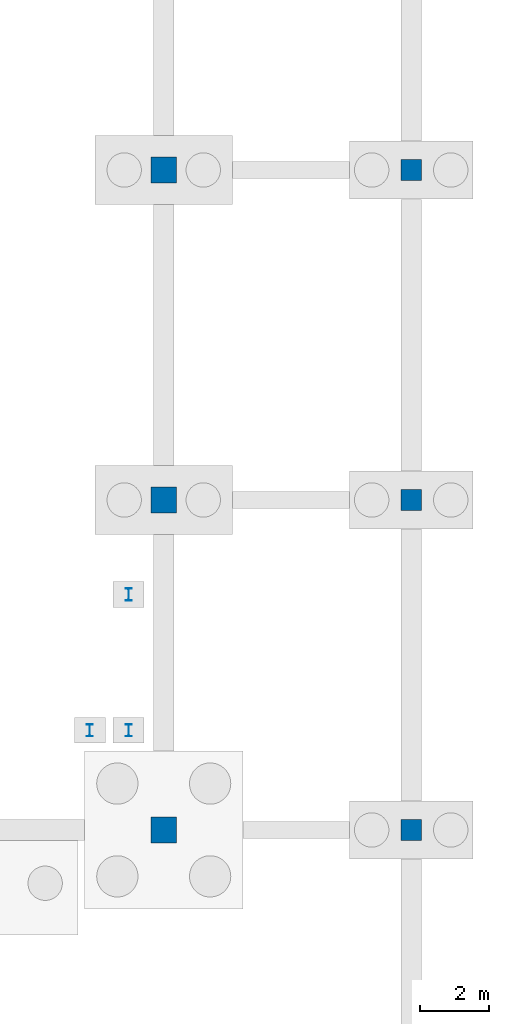
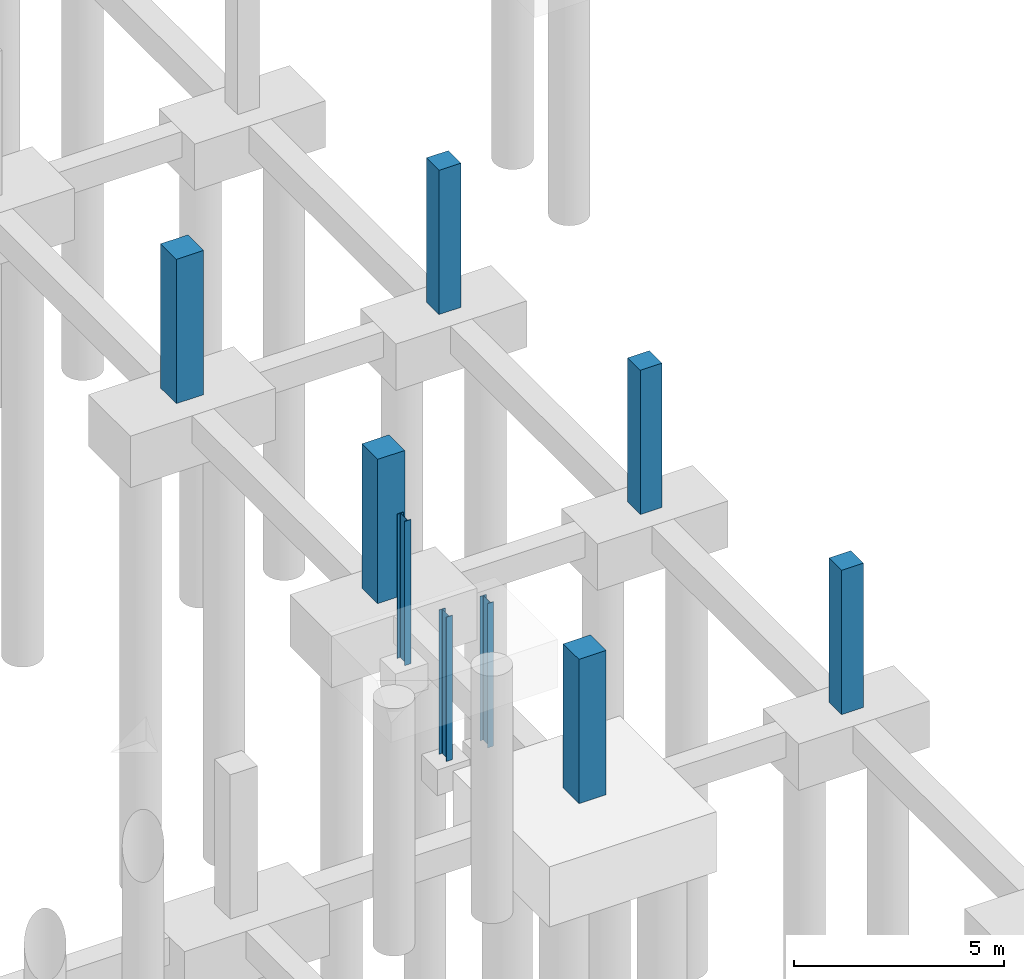
# One storey, part 34 of 54: 9 columns.
"""IFC4 building model written with IfcOpenShell, lengths in metres."""

import ifcopenshell
import ifcopenshell.guid

model = None  # the IFC model being written
_history = None  # IfcOwnerHistory: only IFC2X3 demands one
_inside = {}  # id of a spatial element -> (the spatial element, [elements in it])
_under = {}  # id of a project, library or spatial element -> (it, [spatial elements below it])
_declared = {}  # id of a project -> (the project, [libraries it declares])
_typed = {}  # id of a type object -> (the type object, [elements of that type])
_made_of = {}  # id of a material, layer set ... -> (it, [elements and type objects made of it])


def new_model(schema):
    """Start an empty IFC model of exactly this schema.

    Asked for "IFC4X3", IfcOpenShell would pick the latest addendum, in which some entities
    have other attributes; the version numbers below select the first issue.
    IFC2X3 requires an IfcOwnerHistory on every rooted entity: one is made here for all.
    """
    global model, _history
    if schema == "IFC4X3":
        model = ifcopenshell.file(schema_version=(4, 3, 0, 0))
    else:
        model = ifcopenshell.file(schema=schema)
    _inside.clear()
    _under.clear()
    _declared.clear()
    _typed.clear()
    _made_of.clear()
    _history = None
    if model.schema == "IFC2X3":
        org = make("IfcOrganization", Name="unknown")
        user = make(
            "IfcPersonAndOrganization",
            ThePerson=make("IfcPerson", FamilyName="unknown"),
            TheOrganization=org,
        )
        app = make(
            "IfcApplication",
            ApplicationDeveloper=org,
            Version="unknown",
            ApplicationFullName="unknown",
            ApplicationIdentifier="unknown",
        )
        _history = make(
            "IfcOwnerHistory",
            OwningUser=user,
            OwningApplication=app,
            ChangeAction="ADDED",
            CreationDate=0,
        )
    return model


def make(cls, **values):
    """One entity of the class cls with the attributes given. An attribute that is None is left unset."""
    return model.create_entity(
        cls, **{name: value for name, value in values.items() if value is not None}
    )


def rooted(cls, **values):
    """An entity with a GlobalId (a new one), such as an element, a storey or a relation."""
    return make(cls, GlobalId=ifcopenshell.guid.new(), OwnerHistory=_history, **values)


def si_unit(unit_type, name, prefix=None):
    """IfcSIUnit, for example si_unit("LENGTHUNIT", "METRE", prefix="MILLI")."""
    return make("IfcSIUnit", UnitType=unit_type, Prefix=prefix, Name=name)


def assignment(units):
    """IfcUnitAssignment: the units of a project."""
    return None if units is None else make("IfcUnitAssignment", Units=units)


def point(xyz):
    """IfcCartesianPoint."""
    return None if xyz is None else make("IfcCartesianPoint", Coordinates=xyz)


def direction(xyz):
    """IfcDirection."""
    return None if xyz is None else make("IfcDirection", DirectionRatios=xyz)


def frame(location, z_axis=None, x_axis=None):
    """IfcAxis2Placement3D, a coordinate frame: its origin and axes. An axis left out is left unset."""
    return make(
        "IfcAxis2Placement3D",
        Location=point(location),
        Axis=direction(z_axis),
        RefDirection=direction(x_axis),
    )


def frame_2d(location, x_axis=None):
    """IfcAxis2Placement2D, a coordinate frame in the plane: its origin and x axis."""
    return make(
        "IfcAxis2Placement2D", Location=point(location), RefDirection=direction(x_axis)
    )


def origin():
    """The frame at (0, 0, 0) with its axes left unset."""
    return frame((0.0, 0.0, 0.0))


def origin_2d():
    """The frame at (0, 0) in the plane with its x axis left unset."""
    return frame_2d((0.0, 0.0))


def place(relative_to, where):
    """IfcLocalPlacement: puts the frame where relative to a parent placement (None: the world)."""
    return make(
        "IfcLocalPlacement", PlacementRelTo=relative_to, RelativePlacement=where
    )


def context(
    kind, dimensions, precision=None, world=None, true_north=None, identifier=None
):
    """IfcGeometricRepresentationContext, for example the 3D "Model" context."""
    return make(
        "IfcGeometricRepresentationContext",
        ContextIdentifier=identifier,
        ContextType=kind,
        CoordinateSpaceDimension=dimensions,
        Precision=precision,
        WorldCoordinateSystem=world,
        TrueNorth=true_north,
    )


def subcontext(parent, identifier, kind, view, scale=None):
    """IfcGeometricRepresentationSubContext, for example "Body" below "Model"."""
    return make(
        "IfcGeometricRepresentationSubContext",
        ContextIdentifier=identifier,
        ContextType=kind,
        ParentContext=parent,
        TargetScale=scale,
        TargetView=view,
    )


def project(units=None, contexts=None):
    """IfcProject with its units and contexts."""
    return rooted(
        "IfcProject",
        Name="project",
        RepresentationContexts=contexts,
        UnitsInContext=assignment(units),
    )


def spatial(cls, under=None, at=None, **own):
    """A site, building, storey or space (cls), placed at a placement, below another one or the project."""
    s = rooted(cls, ObjectPlacement=at, **own)
    if under is not None:
        _under.setdefault(under.id(), (under, []))[1].append(s)
    return s


def profile(cls, at=None, kind="AREA", **sizes):
    """A parametric profile (cls). Its sizes go by their IFC names, for example OverallWidth=200.0."""
    return make(cls, ProfileType=kind, Position=at, **sizes)


def rectangle(**sizes):
    """IfcRectangleProfileDef."""
    return profile("IfcRectangleProfileDef", **sizes)


def i_section(**sizes):
    """IfcIShapeProfileDef."""
    return profile("IfcIShapeProfileDef", **sizes)


def extrude(swept, where, along, depth):
    """IfcExtrudedAreaSolid: the profile swept, set in the frame where, extruded along a direction by depth."""
    return make(
        "IfcExtrudedAreaSolid",
        SweptArea=swept,
        Position=where,
        ExtrudedDirection=direction(along),
        Depth=depth,
    )


def shape(context_of_items, identifier, shape_type, items):
    """IfcShapeRepresentation: the items that make up one representation, for example the "Body"."""
    return make(
        "IfcShapeRepresentation",
        ContextOfItems=context_of_items,
        RepresentationIdentifier=identifier,
        RepresentationType=shape_type,
        Items=items,
    )


def material(Name=None, Category=None):
    """IfcMaterial."""
    return make("IfcMaterial", Name=Name, Category=Category)


def material_profile(
    of_material, cross_section, Name=None, Category=None, Priority=None
):
    """IfcMaterialProfile: a cross section and its material."""
    return make(
        "IfcMaterialProfile",
        Name=Name,
        Material=of_material,
        Profile=cross_section,
        Priority=Priority,
        Category=Category,
    )


def profile_set(profiles, Name=None, composite=None):
    """IfcMaterialProfileSet."""
    return make(
        "IfcMaterialProfileSet",
        Name=Name,
        MaterialProfiles=profiles,
        CompositeProfile=composite,
    )


def made_of(thing, what):
    """Note that an element or type object is made of a material, layer set ...; save() writes the relation."""
    if what is not None:
        _made_of.setdefault(what.id(), (what, []))[1].append(thing)
    return thing


def type_object(cls, material=None, **own):
    """A type object (cls), such as IfcWallType, which elements share."""
    return made_of(rooted(cls, **own), material)


def element(
    cls,
    number,
    at=None,
    inside=None,
    cuts=None,
    type_object=None,
    material=None,
    context=None,
    identifier="Body",
    shape_type=None,
    held_by="IfcProductDefinitionShape",
    body=None,
    shapes=None,
    **own,
):
    """One element of the class cls, such as IfcWall. Its Tag is "e" and its number.

    at: its placement. inside: the storey or other place that contains it. cuts: it is an
    opening in that element (IfcRelVoidsElement). A single representation is given by context,
    identifier, shape_type and body (its items); several are given by shapes. held_by: the class
    of the entity that holds the representations. save() writes the other relations.
    """
    e = rooted(cls, Tag="e%d" % number, ObjectPlacement=at, **own)
    if body is not None:
        shapes = [shape(context, identifier, shape_type, body)]
    if shapes is not None:
        e.Representation = make(held_by, Representations=shapes)
    if inside is not None:
        _inside.setdefault(inside.id(), (inside, []))[1].append(e)
    if cuts is not None:
        rooted(
            "IfcRelVoidsElement", RelatingBuildingElement=cuts, RelatedOpeningElement=e
        )
    if type_object is not None:
        _typed.setdefault(type_object.id(), (type_object, []))[1].append(e)
    return made_of(e, material)


def aggregate(whole, parts):
    """IfcRelAggregates: a whole, such as a stair, and the parts it consists of."""
    return rooted("IfcRelAggregates", RelatingObject=whole, RelatedObjects=parts)


def save(model, path):
    """Write the relations noted so far, then the file.

    IfcRelAggregates (storeys below a building ...), IfcRelContainedInSpatialStructure (elements
    in a storey), IfcRelDefinesByType, IfcRelAssociatesMaterial and IfcRelDeclares: one each for
    every whole, place, type object, material and project.
    """
    for whole, parts in _under.values():
        aggregate(whole, parts)
    for where, things in _inside.values():
        rooted(
            "IfcRelContainedInSpatialStructure",
            RelatedElements=things,
            RelatingStructure=where,
        )
    for kind, things in _typed.values():
        rooted("IfcRelDefinesByType", RelatedObjects=things, RelatingType=kind)
    for what, things in _made_of.values():
        rooted("IfcRelAssociatesMaterial", RelatedObjects=things, RelatingMaterial=what)
    for by, libraries in _declared.values():
        rooted("IfcRelDeclares", RelatingContext=by, RelatedDefinitions=libraries)
    model.write(path)


model = new_model("IFC4")

# Units and contexts
model_context = context("Model", 3, precision=1e-05, world=origin(), true_north=direction((0.0, 1.0)))
body_context = subcontext(model_context, "Body", "Model", "MODEL_VIEW")
ifc_project = project(units=[si_unit("LENGTHUNIT", "METRE"), si_unit("AREAUNIT", "SQUARE_METRE"), si_unit("VOLUMEUNIT", "CUBIC_METRE"), si_unit("PLANEANGLEUNIT", "RADIAN"), si_unit("MASSUNIT", "GRAM", prefix="KILO")], contexts=[model_context])

# Site, building, storey
site_placement = place(None, origin())
site = spatial("IfcSite", under=ifc_project, at=site_placement, CompositionType="ELEMENT")
building_placement = place(site_placement, origin())
building = spatial("IfcBuilding", under=site, at=building_placement, Name="Zevrakil Square Congress Hotel", CompositionType="ELEMENT")
storey_placement = place(building_placement, frame((0.0, 0.0, -8.39990234375)))
storey = spatial("IfcBuildingStorey", under=building, at=storey_placement, Name="B2", CompositionType="ELEMENT", Elevation=-8.39990234375)

# Columns
ifc_material_1 = material(Name="Steel S355", Category="steel")
ifc_material_profile_1 = material_profile(ifc_material_1, i_section(OverallWidth=0.169921875, OverallDepth=0.360107421875, WebThickness=0.008056640625, FlangeThickness=0.0126953125, FilletRadius=0.01806640625, at=origin_2d()), Name="IPE 360")
ifc_profile_set_1 = profile_set([ifc_material_profile_1], Name="Steel S355")
column_type_1 = type_object("IfcColumnType", Name="COL-PILASTER-SHS180", PredefinedType="PILASTER", material=ifc_profile_set_1)
for number, where, z_axis, x_axis, name in (
    (1, (163.449951171875, 67.699951171875, 0.0), (0.0, 0.0, 1.0), (1.0, 0.0, 0.0), "B2 ST09 stair shaft post 1"),
    (2, (164.580078125, 67.699951171875, 0.0), (0.0, 0.0, 1.0), (1.0, 0.0, 0.0), "B2 ST09 stair shaft post 2"),
    (3, (164.580078125, 71.64990234375, 0.0), (0.0, 0.0, 1.0), (1.0, 0.0, 0.0), "B2 ST09 stair shaft post 3"),
):
    element("IfcColumn", number, at=place(storey_placement, frame(where, z_axis=z_axis, x_axis=x_axis)), inside=storey, type_object=column_type_1, Name=name, PredefinedType="PILASTER", context=body_context, shape_type="SweptSolid", body=[
        extrude(i_section(OverallWidth=0.169921875, OverallDepth=0.360107421875, WebThickness=0.008056640625, FlangeThickness=0.0126953125, FilletRadius=0.01806640625, at=origin_2d()), origin(), (0.0, 0.0, 1.0), 4.199951171875),
    ])
ifc_material_2 = material(Name="Concrete C40/50", Category="concrete")
ifc_material_profile_2 = material_profile(ifc_material_2, rectangle(XDim=0.60009765625, YDim=0.60009765625, at=origin_2d()), Name="RC 600x600")
ifc_profile_set_2 = profile_set([ifc_material_profile_2], Name="Concrete C40/50")
column_type_2 = type_object("IfcColumnType", Name="COL-RC600", PredefinedType="COLUMN", material=ifc_profile_set_2)
for number, where, z_axis, x_axis, name in (
    (4, (172.800048828125, 64.800048828125, 0.0), (0.0, 0.0, 1.0), (1.0, 0.0, 0.0), "B2 column C-249"),
    (5, (172.800048828125, 74.39990234375, 0.0), (0.0, 0.0, 1.0), (1.0, 0.0, 0.0), "B2 column C-250"),
    (6, (172.800048828125, 84.0, 0.0), (0.0, 0.0, 1.0), (1.0, 0.0, 0.0), "B2 column C-251"),
):
    element("IfcColumn", number, at=place(storey_placement, frame(where, z_axis=z_axis, x_axis=x_axis)), inside=storey, type_object=column_type_2, Name=name, PredefinedType="COLUMN", context=body_context, shape_type="SweptSolid", body=[
        extrude(rectangle(XDim=0.60009765625, YDim=0.60009765625, at=origin_2d()), origin(), (0.0, 0.0, 1.0), 4.199951171875),
    ])
ifc_material_3 = material(Name="Concrete C40/50", Category="concrete")
ifc_material_profile_3 = material_profile(ifc_material_3, rectangle(XDim=0.75, YDim=0.75, at=origin_2d()), Name="RC 750x750")
ifc_profile_set_3 = profile_set([ifc_material_profile_3], Name="Concrete C40/50")
column_type_3 = type_object("IfcColumnType", Name="COL-RC750", PredefinedType="COLUMN", material=ifc_profile_set_3)
for number, where, z_axis, x_axis, name in (
    (7, (165.60009765625, 64.800048828125, 0.0), (0.0, 0.0, 1.0), (1.0, 0.0, 0.0), "B2 column C-235"),
    (8, (165.60009765625, 74.39990234375, 0.0), (0.0, 0.0, 1.0), (1.0, 0.0, 0.0), "B2 column C-236"),
    (9, (165.60009765625, 84.0, 0.0), (0.0, 0.0, 1.0), (1.0, 0.0, 0.0), "B2 column C-237"),
):
    element("IfcColumn", number, at=place(storey_placement, frame(where, z_axis=z_axis, x_axis=x_axis)), inside=storey, type_object=column_type_3, Name=name, PredefinedType="COLUMN", context=body_context, shape_type="SweptSolid", body=[
        extrude(rectangle(XDim=0.75, YDim=0.75, at=origin_2d()), origin(), (0.0, 0.0, 1.0), 4.199951171875),
    ])

save(model, "model.ifc")
